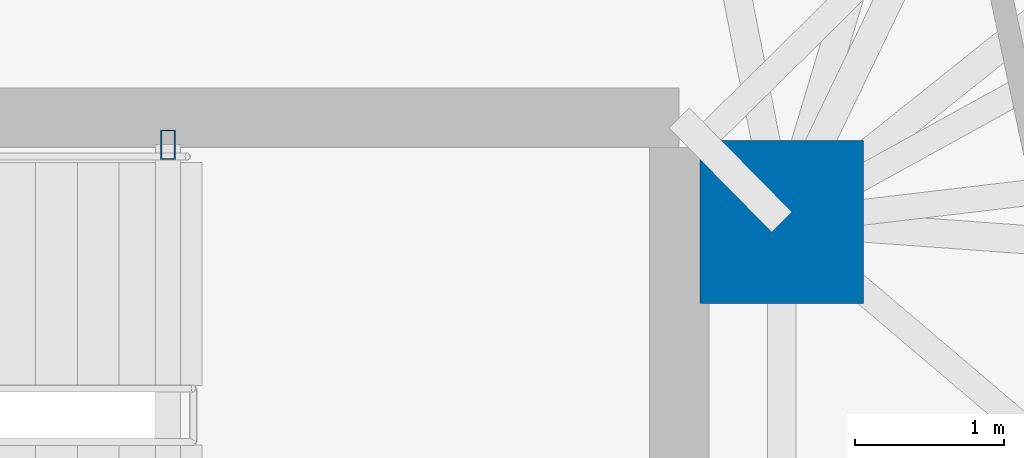
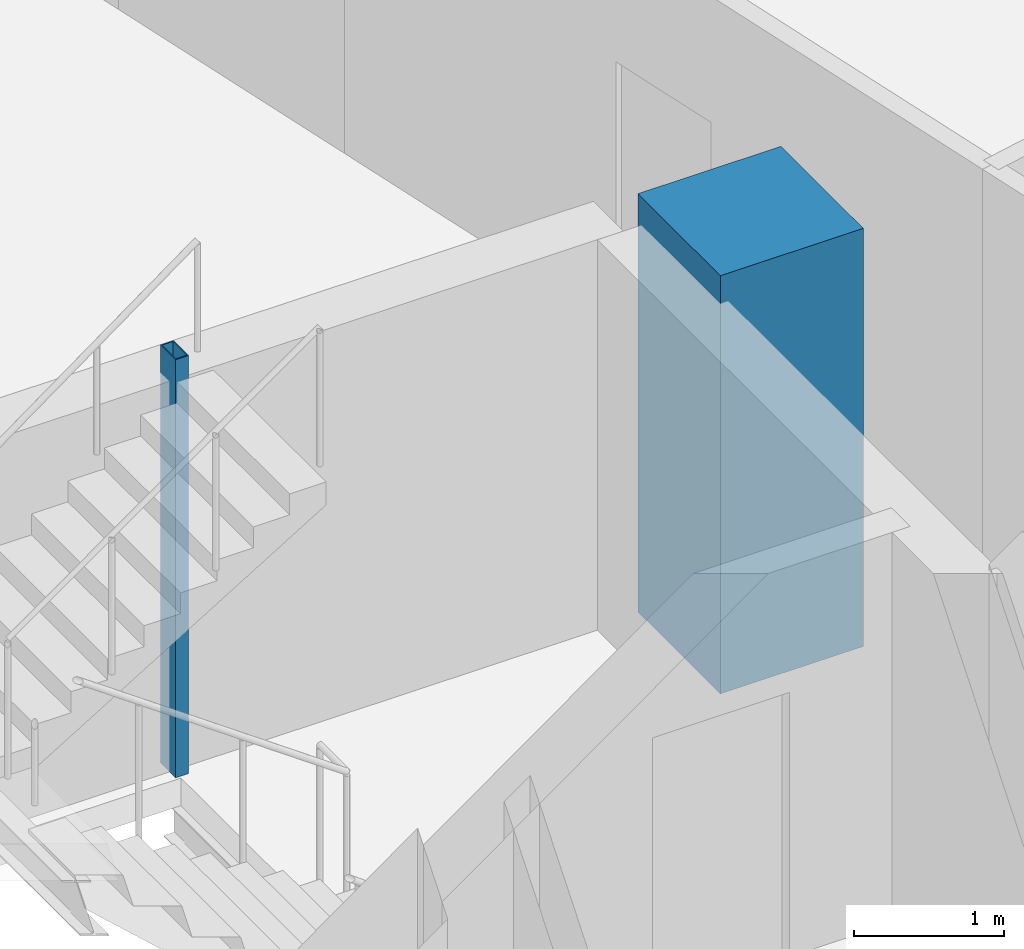
# One storey, part 4 of 20: 2 columns.
"""IFC4 building model written with IfcOpenShell, lengths in metres."""

import ifcopenshell
import ifcopenshell.guid

model = None  # the IFC model being written
_history = None  # IfcOwnerHistory: only IFC2X3 demands one
_inside = {}  # id of a spatial element -> (the spatial element, [elements in it])
_under = {}  # id of a project, library or spatial element -> (it, [spatial elements below it])
_declared = {}  # id of a project -> (the project, [libraries it declares])
_typed = {}  # id of a type object -> (the type object, [elements of that type])
_made_of = {}  # id of a material, layer set ... -> (it, [elements and type objects made of it])


def new_model(schema):
    """Start an empty IFC model of exactly this schema.

    Asked for "IFC4X3", IfcOpenShell would pick the latest addendum, in which some entities
    have other attributes; the version numbers below select the first issue.
    IFC2X3 requires an IfcOwnerHistory on every rooted entity: one is made here for all.
    """
    global model, _history
    if schema == "IFC4X3":
        model = ifcopenshell.file(schema_version=(4, 3, 0, 0))
    else:
        model = ifcopenshell.file(schema=schema)
    _inside.clear()
    _under.clear()
    _declared.clear()
    _typed.clear()
    _made_of.clear()
    _history = None
    if model.schema == "IFC2X3":
        org = make("IfcOrganization", Name="unknown")
        user = make(
            "IfcPersonAndOrganization",
            ThePerson=make("IfcPerson", FamilyName="unknown"),
            TheOrganization=org,
        )
        app = make(
            "IfcApplication",
            ApplicationDeveloper=org,
            Version="unknown",
            ApplicationFullName="unknown",
            ApplicationIdentifier="unknown",
        )
        _history = make(
            "IfcOwnerHistory",
            OwningUser=user,
            OwningApplication=app,
            ChangeAction="ADDED",
            CreationDate=0,
        )
    return model


def make(cls, **values):
    """One entity of the class cls with the attributes given. An attribute that is None is left unset."""
    return model.create_entity(
        cls, **{name: value for name, value in values.items() if value is not None}
    )


def rooted(cls, **values):
    """An entity with a GlobalId (a new one), such as an element, a storey or a relation."""
    return make(cls, GlobalId=ifcopenshell.guid.new(), OwnerHistory=_history, **values)


def si_unit(unit_type, name, prefix=None):
    """IfcSIUnit, for example si_unit("LENGTHUNIT", "METRE", prefix="MILLI")."""
    return make("IfcSIUnit", UnitType=unit_type, Prefix=prefix, Name=name)


def assignment(units):
    """IfcUnitAssignment: the units of a project."""
    return None if units is None else make("IfcUnitAssignment", Units=units)


def point(xyz):
    """IfcCartesianPoint."""
    return None if xyz is None else make("IfcCartesianPoint", Coordinates=xyz)


def direction(xyz):
    """IfcDirection."""
    return None if xyz is None else make("IfcDirection", DirectionRatios=xyz)


def frame(location, z_axis=None, x_axis=None):
    """IfcAxis2Placement3D, a coordinate frame: its origin and axes. An axis left out is left unset."""
    return make(
        "IfcAxis2Placement3D",
        Location=point(location),
        Axis=direction(z_axis),
        RefDirection=direction(x_axis),
    )


def frame_2d(location, x_axis=None):
    """IfcAxis2Placement2D, a coordinate frame in the plane: its origin and x axis."""
    return make(
        "IfcAxis2Placement2D", Location=point(location), RefDirection=direction(x_axis)
    )


def origin():
    """The frame at (0, 0, 0) with its axes left unset."""
    return frame((0.0, 0.0, 0.0))


def origin_2d():
    """The frame at (0, 0) in the plane with its x axis left unset."""
    return frame_2d((0.0, 0.0))


def place(relative_to, where):
    """IfcLocalPlacement: puts the frame where relative to a parent placement (None: the world)."""
    return make(
        "IfcLocalPlacement", PlacementRelTo=relative_to, RelativePlacement=where
    )


def context(
    kind, dimensions, precision=None, world=None, true_north=None, identifier=None
):
    """IfcGeometricRepresentationContext, for example the 3D "Model" context."""
    return make(
        "IfcGeometricRepresentationContext",
        ContextIdentifier=identifier,
        ContextType=kind,
        CoordinateSpaceDimension=dimensions,
        Precision=precision,
        WorldCoordinateSystem=world,
        TrueNorth=true_north,
    )


def subcontext(parent, identifier, kind, view, scale=None):
    """IfcGeometricRepresentationSubContext, for example "Body" below "Model"."""
    return make(
        "IfcGeometricRepresentationSubContext",
        ContextIdentifier=identifier,
        ContextType=kind,
        ParentContext=parent,
        TargetScale=scale,
        TargetView=view,
    )


def project(units=None, contexts=None):
    """IfcProject with its units and contexts."""
    return rooted(
        "IfcProject",
        Name="project",
        RepresentationContexts=contexts,
        UnitsInContext=assignment(units),
    )


def spatial(cls, under=None, at=None, **own):
    """A site, building, storey or space (cls), placed at a placement, below another one or the project."""
    s = rooted(cls, ObjectPlacement=at, **own)
    if under is not None:
        _under.setdefault(under.id(), (under, []))[1].append(s)
    return s


def profile(cls, at=None, kind="AREA", **sizes):
    """A parametric profile (cls). Its sizes go by their IFC names, for example OverallWidth=200.0."""
    return make(cls, ProfileType=kind, Position=at, **sizes)


def rectangle(**sizes):
    """IfcRectangleProfileDef."""
    return profile("IfcRectangleProfileDef", **sizes)


def hollow_rectangle(**sizes):
    """IfcRectangleHollowProfileDef."""
    return profile("IfcRectangleHollowProfileDef", **sizes)


def extrude(swept, where, along, depth):
    """IfcExtrudedAreaSolid: the profile swept, set in the frame where, extruded along a direction by depth."""
    return make(
        "IfcExtrudedAreaSolid",
        SweptArea=swept,
        Position=where,
        ExtrudedDirection=direction(along),
        Depth=depth,
    )


def shape(context_of_items, identifier, shape_type, items):
    """IfcShapeRepresentation: the items that make up one representation, for example the "Body"."""
    return make(
        "IfcShapeRepresentation",
        ContextOfItems=context_of_items,
        RepresentationIdentifier=identifier,
        RepresentationType=shape_type,
        Items=items,
    )


def material(Name=None, Category=None):
    """IfcMaterial."""
    return make("IfcMaterial", Name=Name, Category=Category)


def material_profile(
    of_material, cross_section, Name=None, Category=None, Priority=None
):
    """IfcMaterialProfile: a cross section and its material."""
    return make(
        "IfcMaterialProfile",
        Name=Name,
        Material=of_material,
        Profile=cross_section,
        Priority=Priority,
        Category=Category,
    )


def profile_set(profiles, Name=None, composite=None):
    """IfcMaterialProfileSet."""
    return make(
        "IfcMaterialProfileSet",
        Name=Name,
        MaterialProfiles=profiles,
        CompositeProfile=composite,
    )


def made_of(thing, what):
    """Note that an element or type object is made of a material, layer set ...; save() writes the relation."""
    if what is not None:
        _made_of.setdefault(what.id(), (what, []))[1].append(thing)
    return thing


def type_object(cls, material=None, **own):
    """A type object (cls), such as IfcWallType, which elements share."""
    return made_of(rooted(cls, **own), material)


def element(
    cls,
    number,
    at=None,
    inside=None,
    cuts=None,
    type_object=None,
    material=None,
    context=None,
    identifier="Body",
    shape_type=None,
    held_by="IfcProductDefinitionShape",
    body=None,
    shapes=None,
    **own,
):
    """One element of the class cls, such as IfcWall. Its Tag is "e" and its number.

    at: its placement. inside: the storey or other place that contains it. cuts: it is an
    opening in that element (IfcRelVoidsElement). A single representation is given by context,
    identifier, shape_type and body (its items); several are given by shapes. held_by: the class
    of the entity that holds the representations. save() writes the other relations.
    """
    e = rooted(cls, Tag="e%d" % number, ObjectPlacement=at, **own)
    if body is not None:
        shapes = [shape(context, identifier, shape_type, body)]
    if shapes is not None:
        e.Representation = make(held_by, Representations=shapes)
    if inside is not None:
        _inside.setdefault(inside.id(), (inside, []))[1].append(e)
    if cuts is not None:
        rooted(
            "IfcRelVoidsElement", RelatingBuildingElement=cuts, RelatedOpeningElement=e
        )
    if type_object is not None:
        _typed.setdefault(type_object.id(), (type_object, []))[1].append(e)
    return made_of(e, material)


def aggregate(whole, parts):
    """IfcRelAggregates: a whole, such as a stair, and the parts it consists of."""
    return rooted("IfcRelAggregates", RelatingObject=whole, RelatedObjects=parts)


def save(model, path):
    """Write the relations noted so far, then the file.

    IfcRelAggregates (storeys below a building ...), IfcRelContainedInSpatialStructure (elements
    in a storey), IfcRelDefinesByType, IfcRelAssociatesMaterial and IfcRelDeclares: one each for
    every whole, place, type object, material and project.
    """
    for whole, parts in _under.values():
        aggregate(whole, parts)
    for where, things in _inside.values():
        rooted(
            "IfcRelContainedInSpatialStructure",
            RelatedElements=things,
            RelatingStructure=where,
        )
    for kind, things in _typed.values():
        rooted("IfcRelDefinesByType", RelatedObjects=things, RelatingType=kind)
    for what, things in _made_of.values():
        rooted("IfcRelAssociatesMaterial", RelatedObjects=things, RelatingMaterial=what)
    for by, libraries in _declared.values():
        rooted("IfcRelDeclares", RelatingContext=by, RelatedDefinitions=libraries)
    model.write(path)


model = new_model("IFC4")

# Units and contexts
model_context = context("Model", 3, precision=1e-05, world=origin(), true_north=direction((0.0, 1.0)))
body_context = subcontext(model_context, "Body", "Model", "MODEL_VIEW")
ifc_project = project(units=[si_unit("LENGTHUNIT", "METRE"), si_unit("AREAUNIT", "SQUARE_METRE"), si_unit("VOLUMEUNIT", "CUBIC_METRE"), si_unit("PLANEANGLEUNIT", "RADIAN"), si_unit("MASSUNIT", "GRAM", prefix="KILO")], contexts=[model_context])

# Site, building, storey
site_placement = place(None, origin())
site = spatial("IfcSite", under=ifc_project, at=site_placement, CompositionType="ELEMENT")
building_placement = place(site_placement, origin())
building = spatial("IfcBuilding", under=site, at=building_placement, Name="Menara Jurai Vektor", CompositionType="ELEMENT")
storey_placement = place(building_placement, frame((0.0, 0.0, 175.199951171875)))
storey = spatial("IfcBuildingStorey", under=building, at=storey_placement, Name="L45", CompositionType="ELEMENT", Elevation=175.199951171875)

# Columns
ifc_material_1 = material(Name="Concrete C50/60", Category="concrete")
ifc_material_profile_1 = material_profile(ifc_material_1, rectangle(XDim=1.10009765625, YDim=1.10009765625, at=origin_2d()), Name="RC 1100x1100")
ifc_profile_set_1 = profile_set([ifc_material_profile_1], Name="Concrete C50/60")
column_type_1 = type_object("IfcColumnType", Name="STR-COL-RC1100", PredefinedType="COLUMN", material=ifc_profile_set_1)
column_1_placement = place(storey_placement, frame((15.25, 4.89990234375, 0.0), z_axis=(0.0, 0.0, 1.0), x_axis=(1.0, 0.0, 0.0)))
element("IfcColumn", 1, at=column_1_placement, inside=storey, type_object=column_type_1, Name="Core Spine Column CE-NE L45", PredefinedType="COLUMN", context=body_context, shape_type="SweptSolid", body=[
    extrude(rectangle(XDim=1.10009765625, YDim=1.10009765625, at=origin_2d()), origin(), (0.0, 0.0, 1.0), 3.400146484375),
])
ifc_material_2 = material(Name="Steel S355", Category="steel")
ifc_material_profile_2 = material_profile(ifc_material_2, hollow_rectangle(XDim=0.10009765625, YDim=0.199951171875, WallThickness=0.008056640625, at=origin_2d()), Name="RHS 200x100x8")
ifc_profile_set_2 = profile_set([ifc_material_profile_2], Name="Steel S355")
column_type_2 = type_object("IfcColumnType", Name="STR-COL-STAIR", PredefinedType="COLUMN", material=ifc_profile_set_2)
column_2_placement = place(storey_placement, frame((11.1201171875, 5.419921875, 0.0), z_axis=(0.0, 0.0, 1.0), x_axis=(1.0, 0.0, 0.0)))
element("IfcColumn", 2, at=column_2_placement, inside=storey, type_object=column_type_2, Name="Stair Well Header Column ST2-P2 L45", PredefinedType="COLUMN", context=body_context, shape_type="SweptSolid", body=[
    extrude(hollow_rectangle(XDim=0.10009765625, YDim=0.199951171875, WallThickness=0.008056640625, at=origin_2d()), origin(), (0.0, 0.0, 1.0), 3.400146484375),
])

save(model, "model.ifc")
